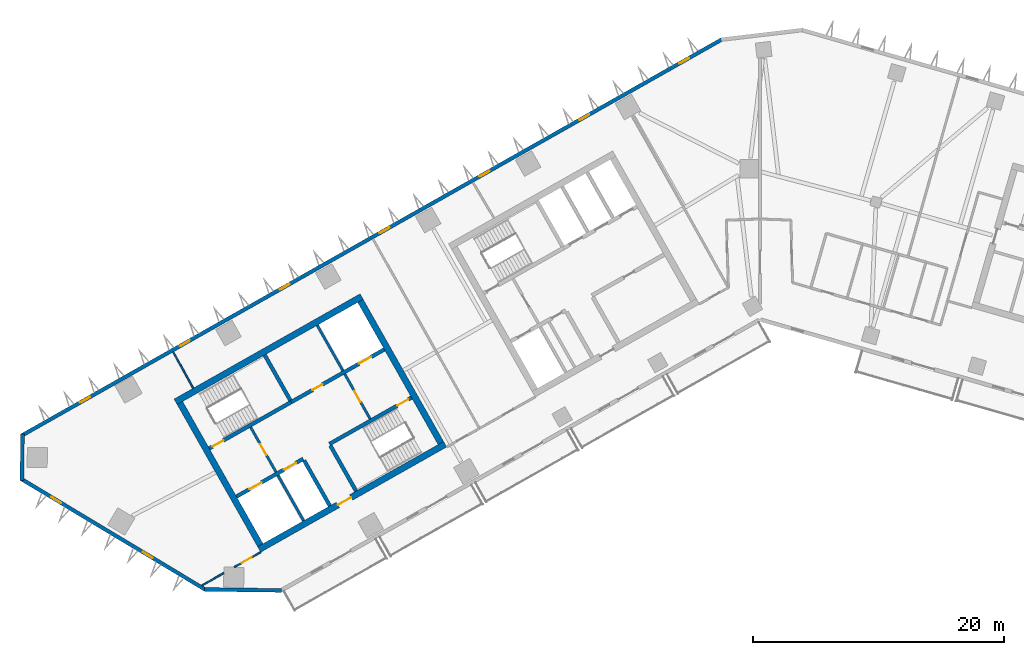
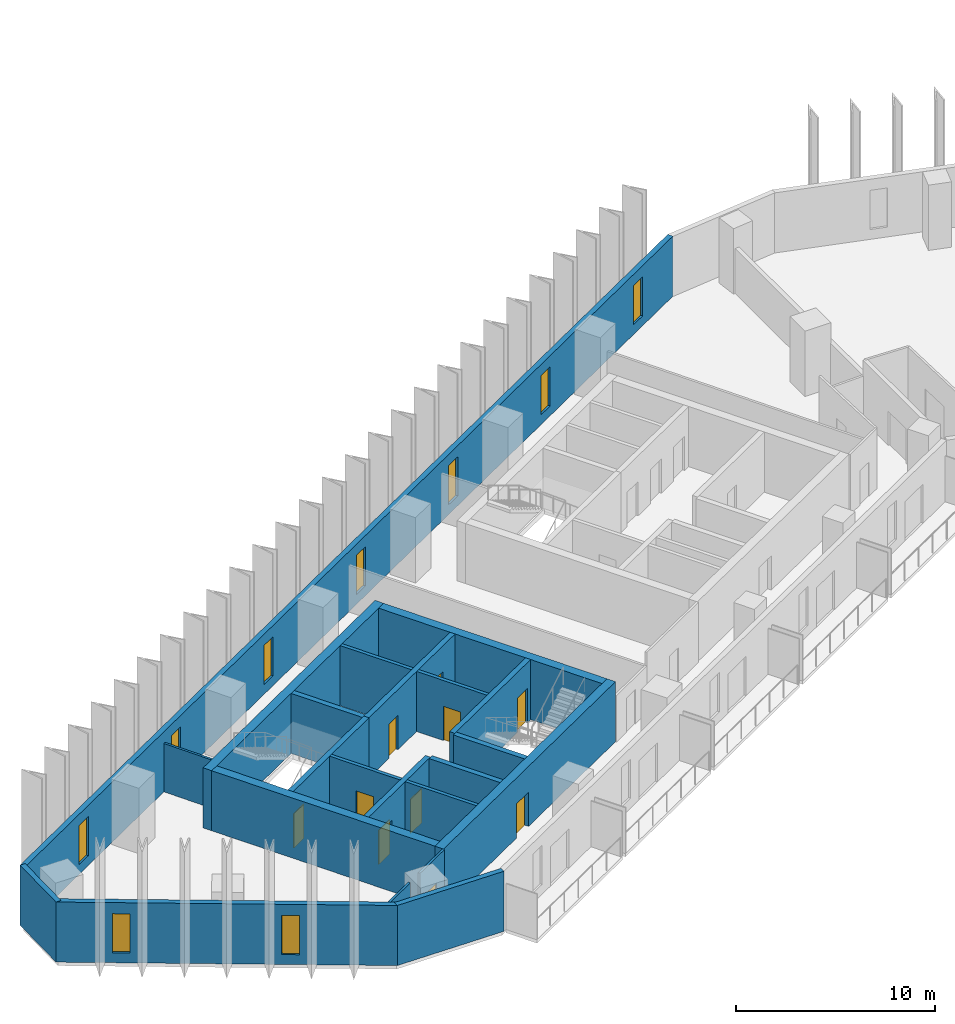
# One storey, part 3 of 12: 22 walls, 10 doors, 9 windows, 19 openings.
"""IFC4 building model written with IfcOpenShell, lengths in metres."""

from ifc_helpers import new_model, si_unit, direction, frame, frame_2d, origin, place, context, subcontext, project, spatial, rectangle, extrude, material, layer, layer_set, type_object, element, fill, save


model = new_model("IFC4")

# Units and contexts
model_context = context("Model", 3, precision=1e-05, world=origin(), true_north=direction((0.0, 1.0)))
body_context = subcontext(model_context, "Body", "Model", "MODEL_VIEW")
ifc_project = project(units=[si_unit("LENGTHUNIT", "METRE"), si_unit("AREAUNIT", "SQUARE_METRE"), si_unit("VOLUMEUNIT", "CUBIC_METRE"), si_unit("PLANEANGLEUNIT", "RADIAN"), si_unit("MASSUNIT", "GRAM", prefix="KILO")], contexts=[model_context])

# Site, building, storey
site_placement = place(None, origin())
site = spatial("IfcSite", under=ifc_project, at=site_placement, CompositionType="ELEMENT")
building_placement = place(site_placement, origin())
building = spatial("IfcBuilding", under=site, at=building_placement, Name="Binnacle Exchange Tower", CompositionType="ELEMENT")
storey_placement = place(building_placement, frame((0.0, 0.0, 154.89990234375)))
storey = spatial("IfcBuildingStorey", under=building, at=storey_placement, Name="L32", CompositionType="ELEMENT", Elevation=154.89990234375)

# Wall, openings, doors
ifc_material_1 = material(Name="Concrete C70/85", Category="concrete")
ifc_layer_1 = layer(ifc_material_1, 0.300048828125)
ifc_layer_set_1 = layer_set([ifc_layer_1], Name="Core wall - front 300")
wall_type_1 = type_object("IfcWallType", Name="Core wall - front 300", PredefinedType="SOLIDWALL", material=ifc_layer_set_1)
wall_1_placement = place(storey_placement, frame((-41.64306640625, 33.91162109375, 0.0), z_axis=(0.0, 0.0, 1.0), x_axis=(0.870343599782, 0.492444939378, 0.0)))
wall_1 = element("IfcWall", 1, at=wall_1_placement, inside=storey, type_object=wall_type_1, Name="Core wall CRWA2", PredefinedType="SOLIDWALL", context=body_context, shape_type="SweptSolid", body=[
    extrude(rectangle(XDim=6.10009765625, YDim=0.300048828125, at=frame_2d((3.050048828125, 0.0))), origin(), (0.0, 0.0, 1.0), 3.68017578125),
])
opening_1_placement = place(wall_1_placement, frame((1.199951171875, 0.0, 0.0)))
opening_1 = element("IfcOpeningElement", 2, at=opening_1_placement, cuts=wall_1, Name="Opening LD12", PredefinedType="OPENING", context=body_context, shape_type="SweptSolid", body=[
    extrude(rectangle(XDim=1.10009765625, YDim=2.10009765625, at=frame_2d((0.550048828125, 1.050048828125))), frame((0.0, 0.159912109375, 0.0), z_axis=(0.0, -1.0, 0.0), x_axis=(1.0, 0.0, 0.0)), (0.0, 0.0, 1.0), 0.320068359375),
])
opening_2_placement = place(wall_1_placement, frame((4.35009765625, 0.0, 0.0)))
opening_2 = element("IfcOpeningElement", 3, at=opening_2_placement, cuts=wall_1, Name="Opening LD8", PredefinedType="OPENING", context=body_context, shape_type="SweptSolid", body=[
    extrude(rectangle(XDim=1.10009765625, YDim=2.10009765625, at=frame_2d((0.550048828125, 1.050048828125))), frame((0.0, 0.159912109375, 0.0), z_axis=(0.0, -1.0, 0.0), x_axis=(1.0, 0.0, 0.0)), (0.0, 0.0, 1.0), 0.320068359375),
])
ifc_material_2 = material(Name="Steel door leaf", Category="steel")
door_type_1 = type_object("IfcDoorType", Name="Fire door - lift landing 1100", OperationType="NOTDEFINED", PredefinedType="DOOR", material=ifc_material_2)
door_1_placement = place(opening_1_placement, origin())
door_1 = element("IfcDoor", 4, at=door_1_placement, inside=storey, type_object=door_type_1, Name="Landing door LD12 L32", OperationType="DOUBLE_DOOR_SLIDING", OverallHeight=2.10009765625, OverallWidth=1.10009765625, PredefinedType="DOOR", context=body_context, shape_type="SweptSolid", body=[
    extrude(rectangle(XDim=1.10009765625, YDim=2.10009765625, at=frame_2d((0.550048828125, 1.050048828125))), frame((0.0, 0.02490234375, 0.0), z_axis=(0.0, -1.0, 0.0), x_axis=(1.0, 0.0, 0.0)), (0.0, 0.0, 1.0), 0.050048828125),
])
fill(opening_1, door_1)
door_2_placement = place(opening_2_placement, origin())
door_2 = element("IfcDoor", 5, at=door_2_placement, inside=storey, type_object=door_type_1, Name="Landing door LD8 L32", OperationType="DOUBLE_DOOR_SLIDING", OverallHeight=2.10009765625, OverallWidth=1.10009765625, PredefinedType="DOOR", context=body_context, shape_type="SweptSolid", body=[
    extrude(rectangle(XDim=1.10009765625, YDim=2.10009765625, at=frame_2d((0.550048828125, 1.050048828125))), frame((0.0, 0.02490234375, 0.0), z_axis=(0.0, -1.0, 0.0), x_axis=(1.0, 0.0, 0.0)), (0.0, 0.0, 1.0), 0.050048828125),
])
fill(opening_2, door_2)

wall_2_placement = place(storey_placement, frame((-37.281982421875, 41.4345703125, 0.0), z_axis=(0.0, 0.0, 1.0), x_axis=(0.870356271124, 0.492422543467, 0.0)))
wall_2 = element("IfcWall", 6, at=wall_2_placement, inside=storey, type_object=wall_type_1, Name="Core wall CRWA5", PredefinedType="SOLIDWALL", context=body_context, shape_type="SweptSolid", body=[
    extrude(rectangle(XDim=8.5, YDim=0.300048828125, at=frame_2d((4.25, 0.0))), origin(), (0.0, 0.0, 1.0), 3.68017578125),
])
opening_3_placement = place(wall_2_placement, frame((6.199951171875, 0.0, 0.0)))
opening_3 = element("IfcOpeningElement", 7, at=opening_3_placement, cuts=wall_2, Name="Opening LD13", PredefinedType="OPENING", context=body_context, shape_type="SweptSolid", body=[
    extrude(rectangle(XDim=1.10009765625, YDim=2.10009765625, at=frame_2d((0.550048828125, 1.050048828125))), frame((0.0, 0.159912109375, 0.0), z_axis=(0.0, -1.0, 0.0), x_axis=(1.0, 0.0, 0.0)), (0.0, 0.0, 1.0), 0.320068359375),
])
opening_4_placement = place(wall_2_placement, frame((1.949951171875, 0.0, 0.0)))
opening_4 = element("IfcOpeningElement", 8, at=opening_4_placement, cuts=wall_2, Name="Opening DA10", PredefinedType="OPENING", context=body_context, shape_type="SweptSolid", body=[
    extrude(rectangle(XDim=0.89990234375, YDim=2.10009765625, at=frame_2d((0.449951171875, 1.050048828125))), frame((0.0, 0.159912109375, 0.0), z_axis=(0.0, -1.0, 0.0), x_axis=(1.0, 0.0, 0.0)), (0.0, 0.0, 1.0), 0.320068359375),
])
door_3_placement = place(opening_3_placement, origin())
door_3 = element("IfcDoor", 9, at=door_3_placement, inside=storey, type_object=door_type_1, Name="Landing door LD13 L32", OperationType="DOUBLE_DOOR_SLIDING", OverallHeight=2.10009765625, OverallWidth=1.10009765625, PredefinedType="DOOR", context=body_context, shape_type="SweptSolid", body=[
    extrude(rectangle(XDim=1.10009765625, YDim=2.10009765625, at=frame_2d((0.550048828125, 1.050048828125))), frame((0.0, 0.02490234375, 0.0), z_axis=(0.0, -1.0, 0.0), x_axis=(1.0, 0.0, 0.0)), (0.0, 0.0, 1.0), 0.050048828125),
])
fill(opening_3, door_3)
door_type_2 = type_object("IfcDoorType", Name="Fire door 900", OperationType="NOTDEFINED", PredefinedType="DOOR", material=ifc_material_2)
door_4_placement = place(opening_4_placement, origin())
door_4 = element("IfcDoor", 10, at=door_4_placement, inside=storey, type_object=door_type_2, Name="Core room door PANTRY", OperationType="SINGLE_SWING_LEFT", OverallHeight=2.10009765625, OverallWidth=0.89990234375, PredefinedType="DOOR", context=body_context, shape_type="SweptSolid", body=[
    extrude(rectangle(XDim=0.89990234375, YDim=2.10009765625, at=frame_2d((0.449951171875, 1.050048828125))), frame((0.0, 0.02490234375, 0.0), z_axis=(0.0, -1.0, 0.0), x_axis=(1.0, 0.0, 0.0)), (0.0, 0.0, 1.0), 0.050048828125),
])
fill(opening_4, door_4)

# Wall
wall_3_placement = place(storey_placement, frame((-36.260009765625, 36.784912109375, 0.0), z_axis=(0.0, 0.0, 1.0), x_axis=(0.492421666909, -0.870356767055, 0.0)))
element("IfcWall", 11, at=wall_3_placement, inside=storey, type_object=wall_type_1, Name="Core wall CRWA13", PredefinedType="SOLIDWALL", context=body_context, shape_type="SweptSolid", body=[
    extrude(rectangle(XDim=4.14990234375, YDim=0.300048828125, at=frame_2d((2.074951171875, 0.0))), origin(), (0.0, 0.0, 1.0), 3.68017578125),
])

# Wall, opening, door
ifc_layer_2 = layer(ifc_material_1, 0.5)
ifc_layer_set_2 = layer_set([ifc_layer_2], Name="Core wall - outer 500")
wall_type_2 = type_object("IfcWallType", Name="Core wall - outer 500", PredefinedType="SOLIDWALL", material=ifc_layer_set_2)
wall_4_placement = place(storey_placement, frame((-39.837646484375, 29.705322265625, 0.0), z_axis=(0.0, 0.0, 1.0), x_axis=(0.870350116061, 0.492433422375, 0.0)))
wall_4 = element("IfcWall", 12, at=wall_4_placement, inside=storey, type_object=wall_type_2, Name="Core wall CRWA1", PredefinedType="SOLIDWALL", context=body_context, shape_type="SweptSolid", body=[
    extrude(rectangle(XDim=17.0, YDim=0.5, at=frame_2d((8.5, 0.0))), origin(), (0.0, 0.0, 1.0), 3.68017578125),
])
opening_5_placement = place(wall_4_placement, frame((7.199951171875, 0.0, 0.0)))
opening_5 = element("IfcOpeningElement", 13, at=opening_5_placement, cuts=wall_4, Name="Opening DA7", PredefinedType="OPENING", context=body_context, shape_type="SweptSolid", body=[
    extrude(rectangle(XDim=1.199951171875, YDim=2.10009765625, at=frame_2d((0.60009765625, 1.050048828125))), frame((0.0, 0.260009765625, 0.0), z_axis=(0.0, -1.0, 0.0), x_axis=(1.0, 0.0, 0.0)), (0.0, 0.0, 1.0), 0.52001953125),
])
door_type_3 = type_object("IfcDoorType", Name="Fire door 1200", OperationType="NOTDEFINED", PredefinedType="DOOR", material=ifc_material_2)
door_5_placement = place(opening_5_placement, frame((1.199951171875, 0.0, 0.0), z_axis=(0.0, 0.0, 1.0), x_axis=(-1.0, 0.0, 0.0)))
door_5 = element("IfcDoor", 14, at=door_5_placement, inside=storey, type_object=door_type_3, Name="Lift lobby entrance door core A", OperationType="SINGLE_SWING_RIGHT", OverallHeight=2.10009765625, OverallWidth=1.199951171875, PredefinedType="DOOR", context=body_context, shape_type="SweptSolid", body=[
    extrude(rectangle(XDim=1.199951171875, YDim=2.10009765625, at=frame_2d((0.60009765625, 1.050048828125))), frame((0.0, 0.02490234375, 0.0), z_axis=(0.0, -1.0, 0.0), x_axis=(1.0, 0.0, 0.0)), (0.0, 0.0, 1.0), 0.050048828125),
])
fill(opening_5, door_5)

# Walls
wall_5_placement = place(storey_placement, frame((-46.485595703125, 41.455078125, 0.0), z_axis=(0.0, 0.0, 1.0), x_axis=(0.870353598469, 0.492427267353, 0.0)))
element("IfcWall", 15, at=wall_5_placement, inside=storey, type_object=wall_type_2, Name="Core wall CRWA6", PredefinedType="SOLIDWALL", context=body_context, shape_type="SweptSolid", body=[
    extrude(rectangle(XDim=17.000244140625, YDim=0.5, at=frame_2d((8.5, 0.0))), origin(), (0.0, 0.0, 1.0), 3.68017578125),
])
for number, where, z_axis, x_axis, name in (
    (16, (-46.144775390625, 41.360595703125, 0.0), (0.0, 0.0, 1.0), (0.492435316254, -0.870349044525, 0.0), "Core wall CRWA7"),
    (17, (-31.783935546875, 49.485595703125, 0.0), (0.0, 0.0, 1.0), (0.492435316254, -0.870349044525, 0.0), "Core wall CRWA22"),
):
    element("IfcWall", number, at=place(storey_placement, frame(where, z_axis=z_axis, x_axis=x_axis)), inside=storey, type_object=wall_type_2, Name=name, PredefinedType="SOLIDWALL", context=body_context, shape_type="SweptSolid", body=[
        extrude(rectangle(XDim=13.0, YDim=0.5, at=frame_2d((6.5, 0.0))), origin(), (0.0, 0.0, 1.0), 3.68017578125),
    ])

# Wall, opening, door
ifc_layer_3 = layer(ifc_material_1, 0.300048828125)
ifc_layer_set_3 = layer_set([ifc_layer_3], Name="Core wall - stair 300")
wall_type_3 = type_object("IfcWallType", Name="Core wall - stair 300", PredefinedType="SOLIDWALL", material=ifc_layer_set_3)
wall_6_placement = place(storey_placement, frame((-34.2451171875, 38.097412109375, 0.0), z_axis=(0.0, 0.0, 1.0), x_axis=(0.870364520461, 0.492407962489, 0.0)))
wall_6 = element("IfcWall", 18, at=wall_6_placement, inside=storey, type_object=wall_type_3, Name="Core wall CRWA3", PredefinedType="SOLIDWALL", context=body_context, shape_type="SweptSolid", body=[
    extrude(rectangle(XDim=7.5, YDim=0.300048828125, at=frame_2d((3.75, 0.0))), origin(), (0.0, 0.0, 1.0), 3.68017578125),
])
opening_6_placement = place(wall_6_placement, frame((6.199951171875, 0.0, 0.0)))
opening_6 = element("IfcOpeningElement", 19, at=opening_6_placement, cuts=wall_6, Name="Opening DA2", PredefinedType="OPENING", context=body_context, shape_type="SweptSolid", body=[
    extrude(rectangle(XDim=1.0, YDim=2.10009765625, at=frame_2d((0.5, 1.050048828125))), frame((0.0, 0.159912109375, 0.0), z_axis=(0.0, -1.0, 0.0), x_axis=(1.0, 0.0, 0.0)), (0.0, 0.0, 1.0), 0.320068359375),
])
door_type_4 = type_object("IfcDoorType", Name="Fire door 1000", OperationType="NOTDEFINED", PredefinedType="DOOR", material=ifc_material_2)
door_6_placement = place(opening_6_placement, frame((1.0, 0.0, 0.0), z_axis=(0.0, 0.0, 1.0), x_axis=(-1.0, 0.0, 0.0)))
door_6 = element("IfcDoor", 20, at=door_6_placement, inside=storey, type_object=door_type_4, Name="Stair door ST-A2", OperationType="SINGLE_SWING_LEFT", OverallHeight=2.10009765625, OverallWidth=1.0, PredefinedType="DOOR", context=body_context, shape_type="SweptSolid", body=[
    extrude(rectangle(XDim=1.0, YDim=2.10009765625, at=frame_2d((0.5, 1.050048828125))), frame((0.0, 0.02490234375, 0.0), z_axis=(0.0, -1.0, 0.0), x_axis=(1.0, 0.0, 0.0)), (0.0, 0.0, 1.0), 0.050048828125),
])
fill(opening_6, door_6)

wall_7_placement = place(storey_placement, frame((-43.809814453125, 37.7412109375, 0.0), z_axis=(0.0, 0.0, 1.0), x_axis=(0.870350569555, 0.492432620848, 0.0)))
wall_7 = element("IfcWall", 21, at=wall_7_placement, inside=storey, type_object=wall_type_3, Name="Core wall CRWA4", PredefinedType="SOLIDWALL", context=body_context, shape_type="SweptSolid", body=[
    extrude(rectangle(XDim=7.500244140625, YDim=0.300048828125, at=frame_2d((3.75, 0.0))), origin(), (0.0, 0.0, 1.0), 3.68017578125),
])
opening_7_placement = place(wall_7_placement, frame((0.2998046875, 0.0, 0.0)))
opening_7 = element("IfcOpeningElement", 22, at=opening_7_placement, cuts=wall_7, Name="Opening DA1", PredefinedType="OPENING", context=body_context, shape_type="SweptSolid", body=[
    extrude(rectangle(XDim=1.0, YDim=2.10009765625, at=frame_2d((0.5, 1.050048828125))), frame((0.0, 0.159912109375, 0.0), z_axis=(0.0, -1.0, 0.0), x_axis=(1.0, 0.0, 0.0)), (0.0, 0.0, 1.0), 0.320068359375),
])
door_7_placement = place(opening_7_placement, origin())
door_7 = element("IfcDoor", 23, at=door_7_placement, inside=storey, type_object=door_type_4, Name="Stair door ST-A1", OperationType="SINGLE_SWING_LEFT", OverallHeight=2.10009765625, OverallWidth=1.0, PredefinedType="DOOR", context=body_context, shape_type="SweptSolid", body=[
    extrude(rectangle(XDim=1.0, YDim=2.10009765625, at=frame_2d((0.5, 1.050048828125))), frame((0.0, 0.02490234375, 0.0), z_axis=(0.0, -1.0, 0.0), x_axis=(1.0, 0.0, 0.0)), (0.0, 0.0, 1.0), 0.050048828125),
])
fill(opening_7, door_7)

# Walls
for number, where, z_axis, x_axis, name in (
    (24, (-39.3994140625, 45.177001953125, 0.0), (0.0, 0.0, 1.0), (0.492396453737, -0.870371031427, 0.0), "Core wall CRWA14"),
    (25, (-34.171142578125, 37.966796875, 0.0), (0.0, 0.0, 1.0), (0.492396453737, -0.870371031427, 0.0), "Core wall CRWA16"),
):
    element("IfcWall", number, at=place(storey_placement, frame(where, z_axis=z_axis, x_axis=x_axis)), inside=storey, type_object=wall_type_3, Name=name, PredefinedType="SOLIDWALL", context=body_context, shape_type="SweptSolid", body=[
        extrude(rectangle(XDim=4.14990234375, YDim=0.300048828125, at=frame_2d((2.074951171875, 0.0))), origin(), (0.0, 0.0, 1.0), 3.68017578125),
    ])
ifc_material_3 = material(Name="Bronze aluminium cladding", Category="aluminium")
ifc_layer_4 = layer(ifc_material_3, 0.300048828125)
ifc_layer_set_4 = layer_set([ifc_layer_4], Name="External wall - spandrel 300")
wall_type_4 = type_object("IfcWallType", Name="External wall - spandrel 300", PredefinedType="STANDARD", material=ifc_layer_set_4)
wall_8_placement = place(storey_placement, frame((-38.057373046875, 26.44482421875, 0.0), z_axis=(0.0, 0.0, 1.0), x_axis=(-0.999914086342, 0.013108010296, 0.0)))
element("IfcWall", 26, at=wall_8_placement, inside=storey, type_object=wall_type_4, Name="External wall EW-G00 L32", PredefinedType="STANDARD", context=body_context, shape_type="SweptSolid", body=[
    extrude(rectangle(XDim=6.127685546875, YDim=0.300048828125, at=frame_2d((3.06396484375, 0.0))), origin(), (0.0, 0.0, 1.0), 3.68017578125),
])

# Wall, openings, windows
wall_9_placement = place(storey_placement, frame((-58.744873046875, 38.763671875, 0.0), z_axis=(0.0, 0.0, 1.0), x_axis=(0.870355811726, 0.492423355453, 0.0)))
wall_9 = element("IfcWall", 27, at=wall_9_placement, inside=storey, type_object=wall_type_4, Name="External wall EW-G08 L32", PredefinedType="STANDARD", context=body_context, shape_type="SweptSolid", body=[
    extrude(rectangle(XDim=64.025390625, YDim=0.300048828125, at=frame_2d((32.0126953125, 0.0))), origin(), (0.0, 0.0, 1.0), 3.68017578125),
])
opening_8_placement = place(wall_9_placement, frame((60.12158203125, 0.0, 0.60009765625)))
opening_8 = element("IfcOpeningElement", 28, at=opening_8_placement, cuts=wall_9, Name="Opening WS3", PredefinedType="OPENING", context=body_context, shape_type="SweptSolid", body=[
    extrude(rectangle(XDim=0.89990234375, YDim=2.39990234375, at=frame_2d((0.449951171875, 1.199951171875))), frame((0.0, 0.159912109375, 0.0), z_axis=(0.0, -1.0, 0.0), x_axis=(1.0, 0.0, 0.0)), (0.0, 0.0, 1.0), 0.320068359375),
])
opening_9_placement = place(wall_9_placement, frame((50.99169921875, 0.0, 0.60009765625)))
opening_9 = element("IfcOpeningElement", 29, at=opening_9_placement, cuts=wall_9, Name="Opening WS3", PredefinedType="OPENING", context=body_context, shape_type="SweptSolid", body=[
    extrude(rectangle(XDim=0.89990234375, YDim=2.39990234375, at=frame_2d((0.449951171875, 1.199951171875))), frame((0.0, 0.159912109375, 0.0), z_axis=(0.0, -1.0, 0.0), x_axis=(1.0, 0.0, 0.0)), (0.0, 0.0, 1.0), 0.320068359375),
])
opening_10_placement = place(wall_9_placement, frame((41.86181640625, 0.0, 0.60009765625)))
opening_10 = element("IfcOpeningElement", 30, at=opening_10_placement, cuts=wall_9, Name="Opening WS3", PredefinedType="OPENING", context=body_context, shape_type="SweptSolid", body=[
    extrude(rectangle(XDim=0.89990234375, YDim=2.39990234375, at=frame_2d((0.449951171875, 1.199951171875))), frame((0.0, 0.159912109375, 0.0), z_axis=(0.0, -1.0, 0.0), x_axis=(1.0, 0.0, 0.0)), (0.0, 0.0, 1.0), 0.320068359375),
])
opening_11_placement = place(wall_9_placement, frame((32.73193359375, 0.0, 0.60009765625)))
opening_11 = element("IfcOpeningElement", 31, at=opening_11_placement, cuts=wall_9, Name="Opening WS3", PredefinedType="OPENING", context=body_context, shape_type="SweptSolid", body=[
    extrude(rectangle(XDim=0.89990234375, YDim=2.39990234375, at=frame_2d((0.449951171875, 1.199951171875))), frame((0.0, 0.159912109375, 0.0), z_axis=(0.0, -1.0, 0.0), x_axis=(1.0, 0.0, 0.0)), (0.0, 0.0, 1.0), 0.320068359375),
])
opening_12_placement = place(wall_9_placement, frame((23.60205078125, 0.0, 0.60009765625)))
opening_12 = element("IfcOpeningElement", 32, at=opening_12_placement, cuts=wall_9, Name="Opening WS3", PredefinedType="OPENING", context=body_context, shape_type="SweptSolid", body=[
    extrude(rectangle(XDim=0.89990234375, YDim=2.39990234375, at=frame_2d((0.449951171875, 1.199951171875))), frame((0.0, 0.159912109375, 0.0), z_axis=(0.0, -1.0, 0.0), x_axis=(1.0, 0.0, 0.0)), (0.0, 0.0, 1.0), 0.320068359375),
])
opening_13_placement = place(wall_9_placement, frame((14.47216796875, 0.0, 0.60009765625)))
opening_13 = element("IfcOpeningElement", 33, at=opening_13_placement, cuts=wall_9, Name="Opening WS3", PredefinedType="OPENING", context=body_context, shape_type="SweptSolid", body=[
    extrude(rectangle(XDim=0.89990234375, YDim=2.39990234375, at=frame_2d((0.449951171875, 1.199951171875))), frame((0.0, 0.159912109375, 0.0), z_axis=(0.0, -1.0, 0.0), x_axis=(1.0, 0.0, 0.0)), (0.0, 0.0, 1.0), 0.320068359375),
])
opening_14_placement = place(wall_9_placement, frame((5.34228515625, 0.0, 0.60009765625)))
opening_14 = element("IfcOpeningElement", 34, at=opening_14_placement, cuts=wall_9, Name="Opening WS3", PredefinedType="OPENING", context=body_context, shape_type="SweptSolid", body=[
    extrude(rectangle(XDim=0.89990234375, YDim=2.39990234375, at=frame_2d((0.449951171875, 1.199951171875))), frame((0.0, 0.159912109375, 0.0), z_axis=(0.0, -1.0, 0.0), x_axis=(1.0, 0.0, 0.0)), (0.0, 0.0, 1.0), 0.320068359375),
])
ifc_material_4 = material(Name="Bronze anodised aluminium frame", Category="aluminium")
window_type = type_object("IfcWindowType", Name="WS3 WINDOW 900x2400", PartitioningType="SINGLE_PANEL", PredefinedType="WINDOW", material=ifc_material_4)
window_1_placement = place(opening_8_placement, origin())
window_1 = element("IfcWindow", 35, at=window_1_placement, inside=storey, type_object=window_type, Name="Window WS3 L32", OverallHeight=2.39990234375, OverallWidth=0.89990234375, PartitioningType="SINGLE_PANEL", PredefinedType="WINDOW", context=body_context, shape_type="SweptSolid", body=[
    extrude(rectangle(XDim=0.89990234375, YDim=2.39990234375, at=frame_2d((0.449951171875, 1.199951171875))), frame((0.0, 0.030029296875, 0.0), z_axis=(0.0, -1.0, 0.0), x_axis=(1.0, 0.0, 0.0)), (0.0, 0.0, 1.0), 0.06005859375),
])
fill(opening_8, window_1)
window_2_placement = place(opening_9_placement, origin())
window_2 = element("IfcWindow", 36, at=window_2_placement, inside=storey, type_object=window_type, Name="Window WS3 L32", OverallHeight=2.39990234375, OverallWidth=0.89990234375, PartitioningType="SINGLE_PANEL", PredefinedType="WINDOW", context=body_context, shape_type="SweptSolid", body=[
    extrude(rectangle(XDim=0.89990234375, YDim=2.39990234375, at=frame_2d((0.449951171875, 1.199951171875))), frame((0.0, 0.030029296875, 0.0), z_axis=(0.0, -1.0, 0.0), x_axis=(1.0, 0.0, 0.0)), (0.0, 0.0, 1.0), 0.06005859375),
])
fill(opening_9, window_2)
window_3_placement = place(opening_10_placement, origin())
window_3 = element("IfcWindow", 37, at=window_3_placement, inside=storey, type_object=window_type, Name="Window WS3 L32", OverallHeight=2.39990234375, OverallWidth=0.89990234375, PartitioningType="SINGLE_PANEL", PredefinedType="WINDOW", context=body_context, shape_type="SweptSolid", body=[
    extrude(rectangle(XDim=0.89990234375, YDim=2.39990234375, at=frame_2d((0.449951171875, 1.199951171875))), frame((0.0, 0.030029296875, 0.0), z_axis=(0.0, -1.0, 0.0), x_axis=(1.0, 0.0, 0.0)), (0.0, 0.0, 1.0), 0.06005859375),
])
fill(opening_10, window_3)
window_4_placement = place(opening_11_placement, origin())
window_4 = element("IfcWindow", 38, at=window_4_placement, inside=storey, type_object=window_type, Name="Window WS3 L32", OverallHeight=2.39990234375, OverallWidth=0.89990234375, PartitioningType="SINGLE_PANEL", PredefinedType="WINDOW", context=body_context, shape_type="SweptSolid", body=[
    extrude(rectangle(XDim=0.89990234375, YDim=2.39990234375, at=frame_2d((0.449951171875, 1.199951171875))), frame((0.0, 0.030029296875, 0.0), z_axis=(0.0, -1.0, 0.0), x_axis=(1.0, 0.0, 0.0)), (0.0, 0.0, 1.0), 0.06005859375),
])
fill(opening_11, window_4)
window_5_placement = place(opening_12_placement, origin())
window_5 = element("IfcWindow", 39, at=window_5_placement, inside=storey, type_object=window_type, Name="Window WS3 L32", OverallHeight=2.39990234375, OverallWidth=0.89990234375, PartitioningType="SINGLE_PANEL", PredefinedType="WINDOW", context=body_context, shape_type="SweptSolid", body=[
    extrude(rectangle(XDim=0.89990234375, YDim=2.39990234375, at=frame_2d((0.449951171875, 1.199951171875))), frame((0.0, 0.030029296875, 0.0), z_axis=(0.0, -1.0, 0.0), x_axis=(1.0, 0.0, 0.0)), (0.0, 0.0, 1.0), 0.06005859375),
])
fill(opening_12, window_5)
window_6_placement = place(opening_13_placement, origin())
window_6 = element("IfcWindow", 40, at=window_6_placement, inside=storey, type_object=window_type, Name="Window WS3 L32", OverallHeight=2.39990234375, OverallWidth=0.89990234375, PartitioningType="SINGLE_PANEL", PredefinedType="WINDOW", context=body_context, shape_type="SweptSolid", body=[
    extrude(rectangle(XDim=0.89990234375, YDim=2.39990234375, at=frame_2d((0.449951171875, 1.199951171875))), frame((0.0, 0.030029296875, 0.0), z_axis=(0.0, -1.0, 0.0), x_axis=(1.0, 0.0, 0.0)), (0.0, 0.0, 1.0), 0.06005859375),
])
fill(opening_13, window_6)
window_7_placement = place(opening_14_placement, origin())
window_7 = element("IfcWindow", 41, at=window_7_placement, inside=storey, type_object=window_type, Name="Window WS3 L32", OverallHeight=2.39990234375, OverallWidth=0.89990234375, PartitioningType="SINGLE_PANEL", PredefinedType="WINDOW", context=body_context, shape_type="SweptSolid", body=[
    extrude(rectangle(XDim=0.89990234375, YDim=2.39990234375, at=frame_2d((0.449951171875, 1.199951171875))), frame((0.0, 0.030029296875, 0.0), z_axis=(0.0, -1.0, 0.0), x_axis=(1.0, 0.0, 0.0)), (0.0, 0.0, 1.0), 0.06005859375),
])
fill(opening_14, window_7)

# Wall
wall_10_placement = place(storey_placement, frame((-58.717041015625, 35.19384765625, 0.0), z_axis=(0.0, 0.0, 1.0), x_axis=(0.013069053407, 0.999914596275, 0.0)))
element("IfcWall", 42, at=wall_10_placement, inside=storey, type_object=wall_type_4, Name="External wall EW-G09 L32", PredefinedType="STANDARD", context=body_context, shape_type="SweptSolid", body=[
    extrude(rectangle(XDim=3.69873046875, YDim=0.300048828125, at=frame_2d((1.849365234375, 0.0))), origin(), (0.0, 0.0, 1.0), 3.68017578125),
])

# Wall, openings, windows
wall_11_placement = place(storey_placement, frame((-44.109375, 26.503662109375, 0.0), z_axis=(0.0, 0.0, 1.0), x_axis=(-0.857169502585, 0.515034410344, 0.0)))
wall_11 = element("IfcWall", 43, at=wall_11_placement, inside=storey, type_object=wall_type_4, Name="External wall EW-G10 L32", PredefinedType="STANDARD", context=body_context, shape_type="SweptSolid", body=[
    extrude(rectangle(XDim=17.126708984375, YDim=0.300048828125, at=frame_2d((8.5634765625, 0.0))), origin(), (0.0, 0.0, 1.0), 3.68017578125),
])
opening_15_placement = place(wall_11_placement, frame((13.403076171875, 0.0, 0.60009765625)))
opening_15 = element("IfcOpeningElement", 44, at=opening_15_placement, cuts=wall_11, Name="Opening WS3", PredefinedType="OPENING", context=body_context, shape_type="SweptSolid", body=[
    extrude(rectangle(XDim=0.89990234375, YDim=2.39990234375, at=frame_2d((0.449951171875, 1.199951171875))), frame((0.0, 0.159912109375, 0.0), z_axis=(0.0, -1.0, 0.0), x_axis=(1.0, 0.0, 0.0)), (0.0, 0.0, 1.0), 0.320068359375),
])
opening_16_placement = place(wall_11_placement, frame((4.903076171875, 0.0, 0.60009765625)))
opening_16 = element("IfcOpeningElement", 45, at=opening_16_placement, cuts=wall_11, Name="Opening WS3", PredefinedType="OPENING", context=body_context, shape_type="SweptSolid", body=[
    extrude(rectangle(XDim=0.89990234375, YDim=2.39990234375, at=frame_2d((0.449951171875, 1.199951171875))), frame((0.0, 0.159912109375, 0.0), z_axis=(0.0, -1.0, 0.0), x_axis=(1.0, 0.0, 0.0)), (0.0, 0.0, 1.0), 0.320068359375),
])
window_8_placement = place(opening_15_placement, origin())
window_8 = element("IfcWindow", 46, at=window_8_placement, inside=storey, type_object=window_type, Name="Window WS3 L32", OverallHeight=2.39990234375, OverallWidth=0.89990234375, PartitioningType="SINGLE_PANEL", PredefinedType="WINDOW", context=body_context, shape_type="SweptSolid", body=[
    extrude(rectangle(XDim=0.89990234375, YDim=2.39990234375, at=frame_2d((0.449951171875, 1.199951171875))), frame((0.0, 0.030029296875, 0.0), z_axis=(0.0, -1.0, 0.0), x_axis=(1.0, 0.0, 0.0)), (0.0, 0.0, 1.0), 0.06005859375),
])
fill(opening_15, window_8)
window_9_placement = place(opening_16_placement, origin())
window_9 = element("IfcWindow", 47, at=window_9_placement, inside=storey, type_object=window_type, Name="Window WS3 L32", OverallHeight=2.39990234375, OverallWidth=0.89990234375, PartitioningType="SINGLE_PANEL", PredefinedType="WINDOW", context=body_context, shape_type="SweptSolid", body=[
    extrude(rectangle(XDim=0.89990234375, YDim=2.39990234375, at=frame_2d((0.449951171875, 1.199951171875))), frame((0.0, 0.030029296875, 0.0), z_axis=(0.0, -1.0, 0.0), x_axis=(1.0, 0.0, 0.0)), (0.0, 0.0, 1.0), 0.06005859375),
])
fill(opening_16, window_9)

# Wall, opening, door
ifc_material_5 = material(Name="Masonry block wall", Category="masonry")
ifc_layer_5 = layer(ifc_material_5, 0.199951171875)
ifc_layer_set_5 = layer_set([ifc_layer_5], Name="Fire wall - vestibule 200")
wall_type_5 = type_object("IfcWallType", Name="Fire wall - vestibule 200", PredefinedType="PARTITIONING", material=ifc_layer_set_5)
wall_12_placement = place(storey_placement, frame((-40.515625, 39.4326171875, 0.0), z_axis=(0.0, 0.0, 1.0), x_axis=(0.492453559952, -0.87033872216, 0.0)))
wall_12 = element("IfcWall", 48, at=wall_12_placement, inside=storey, type_object=wall_type_5, Name="Core wall CRWA10", PredefinedType="PARTITIONING", context=body_context, shape_type="SweptSolid", body=[
    extrude(rectangle(XDim=4.099853515625, YDim=0.199951171875, at=frame_2d((2.0498046875, 0.0))), origin(), (0.0, 0.0, 1.0), 3.68017578125),
])
opening_17_placement = place(wall_12_placement, frame((1.550048828125, 0.0, 0.0)))
opening_17 = element("IfcOpeningElement", 49, at=opening_17_placement, cuts=wall_12, Name="Opening DA3", PredefinedType="OPENING", context=body_context, shape_type="SweptSolid", body=[
    extrude(rectangle(XDim=1.0, YDim=2.10009765625, at=frame_2d((0.5, 1.050048828125))), frame((0.0, 0.10986328125, 0.0), z_axis=(0.0, -1.0, 0.0), x_axis=(1.0, 0.0, 0.0)), (0.0, 0.0, 1.0), 0.219970703125),
])
door_8_placement = place(opening_17_placement, frame((1.0, 0.0, 0.0), z_axis=(0.0, 0.0, 1.0), x_axis=(-1.0, 0.0, 0.0)))
door_8 = element("IfcDoor", 50, at=door_8_placement, inside=storey, type_object=door_type_4, Name="Vestibule door VEST-W", OperationType="SINGLE_SWING_LEFT", OverallHeight=2.10009765625, OverallWidth=1.0, PredefinedType="DOOR", context=body_context, shape_type="SweptSolid", body=[
    extrude(rectangle(XDim=1.0, YDim=2.10009765625, at=frame_2d((0.5, 1.050048828125))), frame((0.0, 0.02490234375, 0.0), z_axis=(0.0, -1.0, 0.0), x_axis=(1.0, 0.0, 0.0)), (0.0, 0.0, 1.0), 0.050048828125),
])
fill(opening_17, door_8)

wall_13_placement = place(storey_placement, frame((-33.030517578125, 43.66748046875, 0.0), z_axis=(0.0, 0.0, 1.0), x_axis=(0.492408451753, -0.87036424366, 0.0)))
wall_13 = element("IfcWall", 51, at=wall_13_placement, inside=storey, type_object=wall_type_5, Name="Core wall CRWA19", PredefinedType="PARTITIONING", context=body_context, shape_type="SweptSolid", body=[
    extrude(rectangle(XDim=4.099853515625, YDim=0.199951171875, at=frame_2d((2.0498046875, 0.0))), origin(), (0.0, 0.0, 1.0), 3.68017578125),
])
opening_18_placement = place(wall_13_placement, frame((1.550048828125, 0.0, 0.0)))
opening_18 = element("IfcOpeningElement", 52, at=opening_18_placement, cuts=wall_13, Name="Opening DA4", PredefinedType="OPENING", context=body_context, shape_type="SweptSolid", body=[
    extrude(rectangle(XDim=1.0, YDim=2.10009765625, at=frame_2d((0.5, 1.050048828125))), frame((0.0, 0.10986328125, 0.0), z_axis=(0.0, -1.0, 0.0), x_axis=(1.0, 0.0, 0.0)), (0.0, 0.0, 1.0), 0.219970703125),
])
door_9_placement = place(opening_18_placement, origin())
door_9 = element("IfcDoor", 53, at=door_9_placement, inside=storey, type_object=door_type_4, Name="Vestibule door VEST-E", OperationType="SINGLE_SWING_RIGHT", OverallHeight=2.10009765625, OverallWidth=1.0, PredefinedType="DOOR", context=body_context, shape_type="SweptSolid", body=[
    extrude(rectangle(XDim=1.0, YDim=2.10009765625, at=frame_2d((0.5, 1.050048828125))), frame((0.0, 0.02490234375, 0.0), z_axis=(0.0, -1.0, 0.0), x_axis=(1.0, 0.0, 0.0)), (0.0, 0.0, 1.0), 0.050048828125),
])
fill(opening_18, door_9)

# Walls
ifc_material_6 = material(Name="Gypsum partition")
ifc_layer_6 = layer(ifc_material_6, 0.125)
ifc_layer_set_6 = layer_set([ifc_layer_6], Name="Partition 125")
wall_type_6 = type_object("IfcWallType", Name="Partition 125", PredefinedType="PARTITIONING", material=ifc_layer_set_6)
wall_14_placement = place(storey_placement, frame((-46.677978515625, 45.4189453125, 0.0), z_axis=(0.0, 0.0, 1.0), x_axis=(0.483275206546, -0.875468488718, 0.0)))
element("IfcWall", 54, at=wall_14_placement, inside=storey, type_object=wall_type_6, Name="Partition W01", PredefinedType="PARTITIONING", context=body_context, shape_type="SweptSolid", body=[
    extrude(rectangle(XDim=3.294189453125, YDim=0.125, at=frame_2d((1.64697265625, 0.0))), origin(), (0.0, 0.0, 1.0), 2.960205078125),
])
wall_15_placement = place(storey_placement, frame((-44.385986328125, 26.844970703125, 0.0), z_axis=(0.0, 0.0, 1.0), x_axis=(0.870453184796, 0.492251209322, 0.0)))
element("IfcWall", 55, at=wall_15_placement, inside=storey, type_object=wall_type_6, Name="Partition W02", PredefinedType="PARTITIONING", context=body_context, shape_type="SweptSolid", body=[
    extrude(rectangle(XDim=1.99072265625, YDim=0.125, at=frame_2d((0.995361328125, 0.0))), origin(), (0.0, 0.0, 1.0), 3.68017578125),
])

# Wall, opening, door
wall_16_placement = place(storey_placement, frame((-41.823974609375, 28.2939453125, 0.0), z_axis=(0.0, 0.0, 1.0), x_axis=(0.870189216305, 0.492717695873, 0.0)))
wall_16 = element("IfcWall", 56, at=wall_16_placement, inside=storey, type_object=wall_type_6, Name="Partition W03", PredefinedType="PARTITIONING", context=body_context, shape_type="SweptSolid", body=[
    extrude(rectangle(XDim=2.423583984375, YDim=0.125, at=frame_2d((1.2119140625, 0.0))), origin(), (0.0, 0.0, 1.0), 3.68017578125),
])
opening_19_placement = place(wall_16_placement, frame((0.699951171875, 0.0, 0.0)))
opening_19 = element("IfcOpeningElement", 57, at=opening_19_placement, cuts=wall_16, Name="Opening DL32-01", PredefinedType="OPENING", context=body_context, shape_type="SweptSolid", body=[
    extrude(rectangle(XDim=0.89990234375, YDim=2.10009765625, at=frame_2d((0.449951171875, 1.050048828125))), frame((0.0, 0.072509765625, 0.0), z_axis=(0.0, -1.0, 0.0), x_axis=(1.0, 0.0, 0.0)), (0.0, 0.0, 1.0), 0.14501953125),
])
ifc_material_7 = material(Name="Timber door leaf", Category="wood")
door_type_5 = type_object("IfcDoorType", Name="Door 900", OperationType="NOTDEFINED", PredefinedType="DOOR", material=ifc_material_7)
door_10_placement = place(opening_19_placement, origin())
door_10 = element("IfcDoor", 58, at=door_10_placement, inside=storey, type_object=door_type_5, Name="Door DL32-01", OperationType="SINGLE_SWING_LEFT", OverallHeight=2.10009765625, OverallWidth=0.89990234375, PredefinedType="DOOR", context=body_context, shape_type="SweptSolid", body=[
    extrude(rectangle(XDim=0.89990234375, YDim=2.10009765625, at=frame_2d((0.449951171875, 1.050048828125))), frame((0.0, 0.02490234375, 0.0), z_axis=(0.0, -1.0, 0.0), x_axis=(1.0, 0.0, 0.0)), (0.0, 0.0, 1.0), 0.050048828125),
])
fill(opening_19, door_10)

# Walls
ifc_layer_7 = layer(ifc_material_5, 0.199951171875)
ifc_layer_set_7 = layer_set([ifc_layer_7], Name="Shaft wall 200")
wall_type_7 = type_object("IfcWallType", Name="Shaft wall 200", PredefinedType="SOLIDWALL", material=ifc_layer_set_7)
for number, where, z_axis, x_axis, name in (
    (59, (-38.348876953125, 35.603271484375, 0.0), (0.0, 0.0, 1.0), (0.492396453737, -0.870371031427, 0.0), "Core wall CRWA9"),
    (60, (-35.2216796875, 47.54052734375, 0.0), (0.0, 0.0, 1.0), (0.492421666909, -0.870356767055, 0.0), "Core wall CRWA21"),
):
    element("IfcWall", number, at=place(storey_placement, frame(where, z_axis=z_axis, x_axis=x_axis)), inside=storey, type_object=wall_type_7, Name=name, PredefinedType="SOLIDWALL", context=body_context, shape_type="SweptSolid", body=[
        extrude(rectangle(XDim=4.14990234375, YDim=0.199951171875, at=frame_2d((2.074951171875, 0.0))), origin(), (0.0, 0.0, 1.0), 3.68017578125),
    ])

save(model, "model.ifc")
